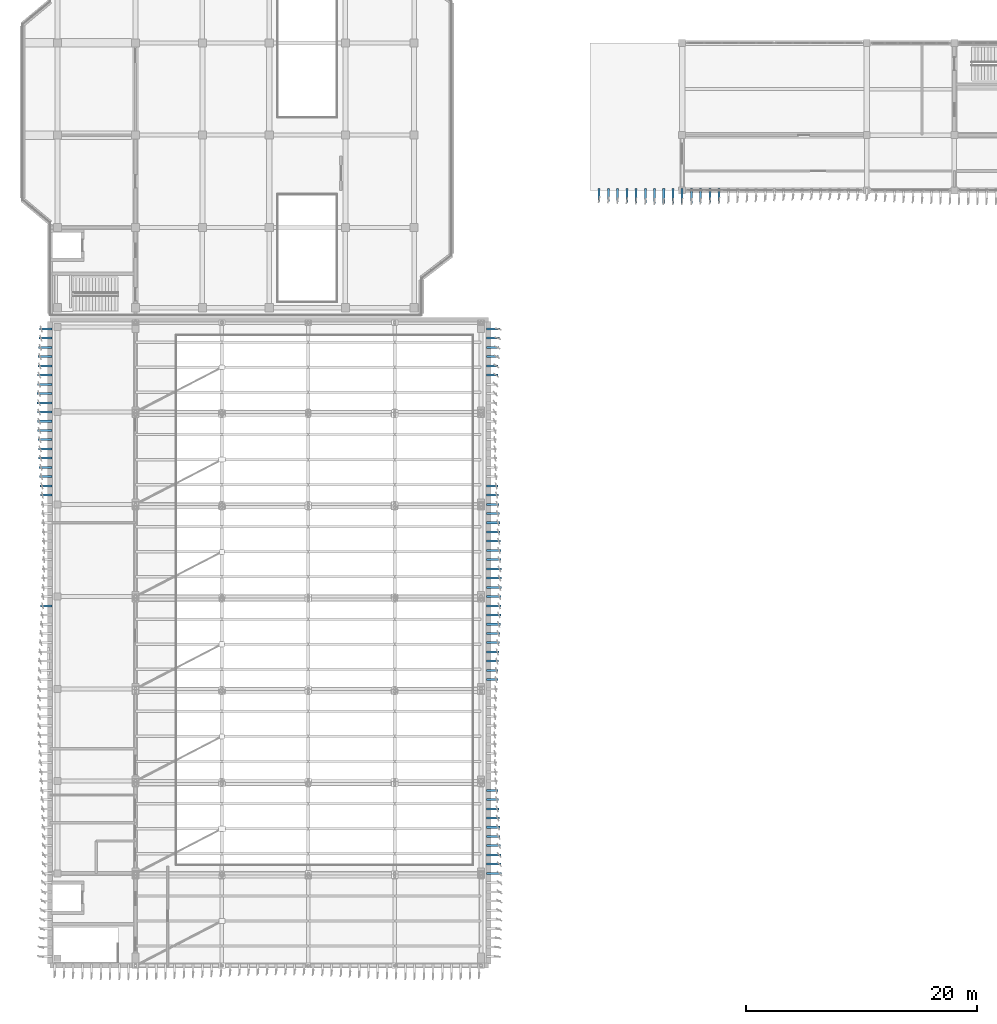
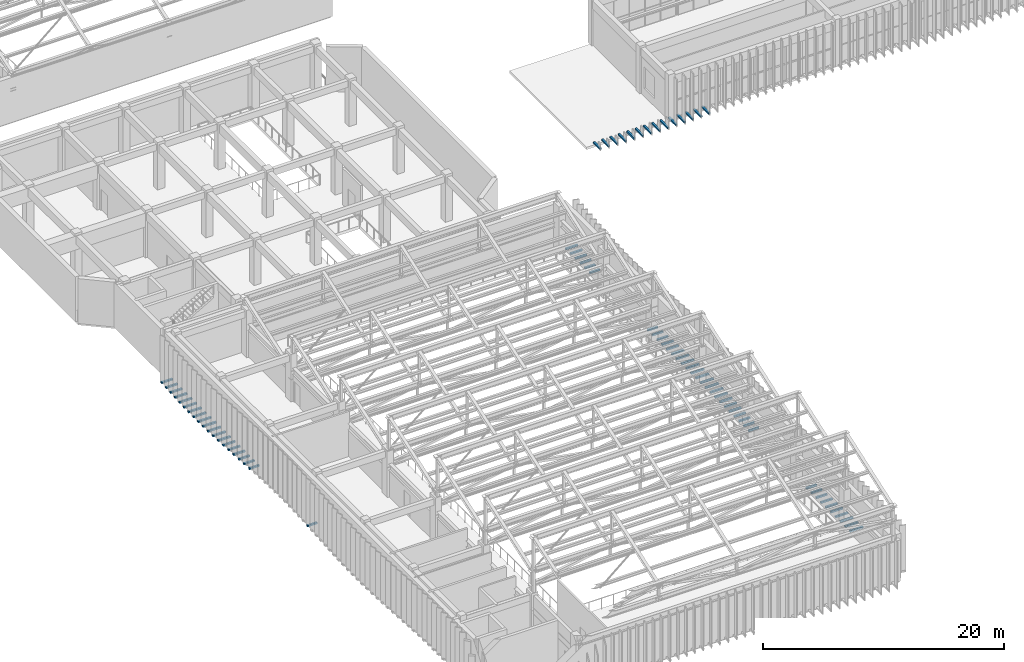
# One storey, part 61 of 76: 72 discrete accessories.
"""IFC4 building model written with IfcOpenShell, lengths in metres."""

from ifc_helpers import new_model, si_unit, direction, frame, origin, origin_2d, place, context, subcontext, project, spatial, rectangle, extrude, material, type_object, element, save


model = new_model("IFC4")

# Units and contexts
model_context = context("Model", 3, precision=1e-05, world=origin(), true_north=direction((0.0, 1.0)))
body_context = subcontext(model_context, "Body", "Model", "MODEL_VIEW")
ifc_project = project(units=[si_unit("LENGTHUNIT", "METRE"), si_unit("AREAUNIT", "SQUARE_METRE"), si_unit("VOLUMEUNIT", "CUBIC_METRE"), si_unit("PLANEANGLEUNIT", "RADIAN"), si_unit("MASSUNIT", "GRAM", prefix="KILO")], contexts=[model_context])

# Site, building, storey
site_placement = place(None, origin())
site = spatial("IfcSite", under=ifc_project, at=site_placement, CompositionType="ELEMENT")
building_placement = place(site_placement, origin())
building = spatial("IfcBuilding", under=site, at=building_placement, Name="Cinchona Park Media Centre", CompositionType="ELEMENT")
storey_placement = place(building_placement, frame((0.0, 0.0, 15.60009765625)))
storey = spatial("IfcBuildingStorey", under=building, at=storey_placement, Name="L03", CompositionType="ELEMENT", Elevation=15.60009765625)

# Discrete accessories
ifc_material = material(Name="Steel S355", Category="steel")
discrete_accessory_type = type_object("IfcDiscreteAccessoryType", Name="BRACKET-BRK01", PredefinedType="BRACKET", material=ifc_material)
discrete_accessory_1_placement = place(storey_placement, frame((7.614990234375, 62.800048828125, 0.0400390625), z_axis=(0.0, 0.0, 1.0), x_axis=(0.0, -1.0, 0.0)))
element("IfcDiscreteAccessory", 1, at=discrete_accessory_1_placement, inside=storey, type_object=discrete_accessory_type, Name="Facade Fin Outrigger Bracket L03", PredefinedType="BRACKET", context=body_context, shape_type="SweptSolid", body=[
    extrude(rectangle(XDim=0.179931640625, YDim=1.090087890625, at=origin_2d()), origin(), (0.0, 0.0, 1.0), 0.159912109375),
])
discrete_accessory_2_placement = place(storey_placement, frame((7.594970703125, 62.0, 0.0400390625), z_axis=(0.0, 0.0, 1.0), x_axis=(0.0, -1.0, 0.0)))
element("IfcDiscreteAccessory", 2, at=discrete_accessory_2_placement, inside=storey, type_object=discrete_accessory_type, Name="Facade Fin Outrigger Bracket L03", PredefinedType="BRACKET", context=body_context, shape_type="SweptSolid", body=[
    extrude(rectangle(XDim=0.179931640625, YDim=1.12890625, at=origin_2d()), origin(), (0.0, 0.0, 1.0), 0.159912109375),
])
discrete_accessory_3_placement = place(storey_placement, frame((7.576904296875, 61.199951171875, 0.0400390625), z_axis=(0.0, 0.0, 1.0), x_axis=(0.0, -1.0, 0.0)))
element("IfcDiscreteAccessory", 3, at=discrete_accessory_3_placement, inside=storey, type_object=discrete_accessory_type, Name="Facade Fin Outrigger Bracket L03", PredefinedType="BRACKET", context=body_context, shape_type="SweptSolid", body=[
    extrude(rectangle(XDim=0.179931640625, YDim=1.166015625, at=origin_2d()), origin(), (0.0, 0.0, 1.0), 0.159912109375),
])
discrete_accessory_4_placement = place(storey_placement, frame((7.56005859375, 60.39990234375, 0.0400390625), z_axis=(0.0, 0.0, 1.0), x_axis=(0.0, -1.0, 0.0)))
element("IfcDiscreteAccessory", 4, at=discrete_accessory_4_placement, inside=storey, type_object=discrete_accessory_type, Name="Facade Fin Outrigger Bracket L03", PredefinedType="BRACKET", context=body_context, shape_type="SweptSolid", body=[
    extrude(rectangle(XDim=0.179931640625, YDim=1.199951171875, at=origin_2d()), origin(), (0.0, 0.0, 1.0), 0.159912109375),
])
discrete_accessory_5_placement = place(storey_placement, frame((7.5458984375, 59.60009765625, 0.0400390625), z_axis=(0.0, 0.0, 1.0), x_axis=(0.0, -1.0, 0.0)))
element("IfcDiscreteAccessory", 5, at=discrete_accessory_5_placement, inside=storey, type_object=discrete_accessory_type, Name="Facade Fin Outrigger Bracket L03", PredefinedType="BRACKET", context=body_context, shape_type="SweptSolid", body=[
    extrude(rectangle(XDim=0.179931640625, YDim=1.22900390625, at=origin_2d()), origin(), (0.0, 0.0, 1.0), 0.159912109375),
])
discrete_accessory_6_placement = place(storey_placement, frame((7.533935546875, 58.800048828125, 0.0400390625), z_axis=(0.0, 0.0, 1.0), x_axis=(0.0, -1.0, 0.0)))
element("IfcDiscreteAccessory", 6, at=discrete_accessory_6_placement, inside=storey, type_object=discrete_accessory_type, Name="Facade Fin Outrigger Bracket L03", PredefinedType="BRACKET", context=body_context, shape_type="SweptSolid", body=[
    extrude(rectangle(XDim=0.179931640625, YDim=1.251953125, at=origin_2d()), origin(), (0.0, 0.0, 1.0), 0.159912109375),
])
discrete_accessory_7_placement = place(storey_placement, frame((7.52587890625, 58.0, 0.0400390625), z_axis=(0.0, 0.0, 1.0), x_axis=(0.0, -1.0, 0.0)))
element("IfcDiscreteAccessory", 7, at=discrete_accessory_7_placement, inside=storey, type_object=discrete_accessory_type, Name="Facade Fin Outrigger Bracket L03", PredefinedType="BRACKET", context=body_context, shape_type="SweptSolid", body=[
    extrude(rectangle(XDim=0.179931640625, YDim=1.26806640625, at=origin_2d()), origin(), (0.0, 0.0, 1.0), 0.159912109375),
])
discrete_accessory_8_placement = place(storey_placement, frame((7.52099609375, 57.199951171875, 0.0400390625), z_axis=(0.0, 0.0, 1.0), x_axis=(0.0, -1.0, 0.0)))
element("IfcDiscreteAccessory", 8, at=discrete_accessory_8_placement, inside=storey, type_object=discrete_accessory_type, Name="Facade Fin Outrigger Bracket L03", PredefinedType="BRACKET", context=body_context, shape_type="SweptSolid", body=[
    extrude(rectangle(XDim=0.179931640625, YDim=1.278076171875, at=origin_2d()), origin(), (0.0, 0.0, 1.0), 0.159912109375),
])
discrete_accessory_9_placement = place(storey_placement, frame((7.52001953125, 56.39990234375, 0.0400390625), z_axis=(0.0, 0.0, 1.0), x_axis=(0.0, -1.0, 0.0)))
element("IfcDiscreteAccessory", 9, at=discrete_accessory_9_placement, inside=storey, type_object=discrete_accessory_type, Name="Facade Fin Outrigger Bracket L03", PredefinedType="BRACKET", context=body_context, shape_type="SweptSolid", body=[
    extrude(rectangle(XDim=0.179931640625, YDim=1.280029296875, at=origin_2d()), origin(), (0.0, 0.0, 1.0), 0.159912109375),
])
discrete_accessory_10_placement = place(storey_placement, frame((7.52294921875, 55.60009765625, 0.0400390625), z_axis=(0.0, 0.0, 1.0), x_axis=(0.0, -1.0, 0.0)))
element("IfcDiscreteAccessory", 10, at=discrete_accessory_10_placement, inside=storey, type_object=discrete_accessory_type, Name="Facade Fin Outrigger Bracket L03", PredefinedType="BRACKET", context=body_context, shape_type="SweptSolid", body=[
    extrude(rectangle(XDim=0.179931640625, YDim=1.27392578125, at=origin_2d()), origin(), (0.0, 0.0, 1.0), 0.159912109375),
])
discrete_accessory_11_placement = place(storey_placement, frame((7.529052734375, 54.800048828125, 0.0400390625), z_axis=(0.0, 0.0, 1.0), x_axis=(0.0, -1.0, 0.0)))
element("IfcDiscreteAccessory", 11, at=discrete_accessory_11_placement, inside=storey, type_object=discrete_accessory_type, Name="Facade Fin Outrigger Bracket L03", PredefinedType="BRACKET", context=body_context, shape_type="SweptSolid", body=[
    extrude(rectangle(XDim=0.179931640625, YDim=1.260986328125, at=origin_2d()), origin(), (0.0, 0.0, 1.0), 0.159912109375),
])
discrete_accessory_12_placement = place(storey_placement, frame((7.5390625, 54.0, 0.0400390625), z_axis=(0.0, 0.0, 1.0), x_axis=(0.0, -1.0, 0.0)))
element("IfcDiscreteAccessory", 12, at=discrete_accessory_12_placement, inside=storey, type_object=discrete_accessory_type, Name="Facade Fin Outrigger Bracket L03", PredefinedType="BRACKET", context=body_context, shape_type="SweptSolid", body=[
    extrude(rectangle(XDim=0.179931640625, YDim=1.240966796875, at=origin_2d()), origin(), (0.0, 0.0, 1.0), 0.159912109375),
])
discrete_accessory_13_placement = place(storey_placement, frame((7.552978515625, 53.199951171875, 0.0400390625), z_axis=(0.0, 0.0, 1.0), x_axis=(0.0, -1.0, 0.0)))
element("IfcDiscreteAccessory", 13, at=discrete_accessory_13_placement, inside=storey, type_object=discrete_accessory_type, Name="Facade Fin Outrigger Bracket L03", PredefinedType="BRACKET", context=body_context, shape_type="SweptSolid", body=[
    extrude(rectangle(XDim=0.179931640625, YDim=1.215087890625, at=origin_2d()), origin(), (0.0, 0.0, 1.0), 0.159912109375),
])
discrete_accessory_14_placement = place(storey_placement, frame((7.568115234375, 52.39990234375, 0.0400390625), z_axis=(0.0, 0.0, 1.0), x_axis=(0.0, -1.0, 0.0)))
element("IfcDiscreteAccessory", 14, at=discrete_accessory_14_placement, inside=storey, type_object=discrete_accessory_type, Name="Facade Fin Outrigger Bracket L03", PredefinedType="BRACKET", context=body_context, shape_type="SweptSolid", body=[
    extrude(rectangle(XDim=0.179931640625, YDim=1.18408203125, at=origin_2d()), origin(), (0.0, 0.0, 1.0), 0.159912109375),
])
discrete_accessory_15_placement = place(storey_placement, frame((7.5859375, 51.60009765625, 0.0400390625), z_axis=(0.0, 0.0, 1.0), x_axis=(0.0, -1.0, 0.0)))
element("IfcDiscreteAccessory", 15, at=discrete_accessory_15_placement, inside=storey, type_object=discrete_accessory_type, Name="Facade Fin Outrigger Bracket L03", PredefinedType="BRACKET", context=body_context, shape_type="SweptSolid", body=[
    extrude(rectangle(XDim=0.179931640625, YDim=1.14794921875, at=origin_2d()), origin(), (0.0, 0.0, 1.0), 0.159912109375),
])
discrete_accessory_16_placement = place(storey_placement, frame((7.60498046875, 50.800048828125, 0.0400390625), z_axis=(0.0, 0.0, 1.0), x_axis=(0.0, -1.0, 0.0)))
element("IfcDiscreteAccessory", 16, at=discrete_accessory_16_placement, inside=storey, type_object=discrete_accessory_type, Name="Facade Fin Outrigger Bracket L03", PredefinedType="BRACKET", context=body_context, shape_type="SweptSolid", body=[
    extrude(rectangle(XDim=0.179931640625, YDim=1.110107421875, at=origin_2d()), origin(), (0.0, 0.0, 1.0), 0.159912109375),
])
discrete_accessory_17_placement = place(storey_placement, frame((7.625, 50.0, 0.0400390625), z_axis=(0.0, 0.0, 1.0), x_axis=(0.0, -1.0, 0.0)))
element("IfcDiscreteAccessory", 17, at=discrete_accessory_17_placement, inside=storey, type_object=discrete_accessory_type, Name="Facade Fin Outrigger Bracket L03", PredefinedType="BRACKET", context=body_context, shape_type="SweptSolid", body=[
    extrude(rectangle(XDim=0.179931640625, YDim=1.070068359375, at=origin_2d()), origin(), (0.0, 0.0, 1.0), 0.159912109375),
])
discrete_accessory_18_placement = place(storey_placement, frame((7.64501953125, 49.199951171875, 0.0400390625), z_axis=(0.0, 0.0, 1.0), x_axis=(0.0, -1.0, 0.0)))
element("IfcDiscreteAccessory", 18, at=discrete_accessory_18_placement, inside=storey, type_object=discrete_accessory_type, Name="Facade Fin Outrigger Bracket L03", PredefinedType="BRACKET", context=body_context, shape_type="SweptSolid", body=[
    extrude(rectangle(XDim=0.179931640625, YDim=1.030029296875, at=origin_2d()), origin(), (0.0, 0.0, 1.0), 0.159912109375),
])
discrete_accessory_19_placement = place(storey_placement, frame((7.6640625, 48.39990234375, 0.0400390625), z_axis=(0.0, 0.0, 1.0), x_axis=(0.0, -1.0, 0.0)))
element("IfcDiscreteAccessory", 19, at=discrete_accessory_19_placement, inside=storey, type_object=discrete_accessory_type, Name="Facade Fin Outrigger Bracket L03", PredefinedType="BRACKET", context=body_context, shape_type="SweptSolid", body=[
    extrude(rectangle(XDim=0.179931640625, YDim=0.991943359375, at=origin_2d()), origin(), (0.0, 0.0, 1.0), 0.159912109375),
])
discrete_accessory_20_placement = place(storey_placement, frame((7.673095703125, 38.800048828125, 0.0400390625), z_axis=(0.0, 0.0, 1.0), x_axis=(0.0, -1.0, 0.0)))
element("IfcDiscreteAccessory", 20, at=discrete_accessory_20_placement, inside=storey, type_object=discrete_accessory_type, Name="Facade Fin Outrigger Bracket L03", PredefinedType="BRACKET", context=body_context, shape_type="SweptSolid", body=[
    extrude(rectangle(XDim=0.179931640625, YDim=0.97412109375, at=origin_2d()), origin(), (0.0, 0.0, 1.0), 0.159912109375),
])
discrete_accessory_21_placement = place(storey_placement, frame((46.47705078125, 15.60009765625, 0.0400390625), z_axis=(0.0, 0.0, 1.0), x_axis=(0.0, 1.0, 0.0)))
element("IfcDiscreteAccessory", 21, at=discrete_accessory_21_placement, inside=storey, type_object=discrete_accessory_type, Name="Facade Fin Outrigger Bracket L03", PredefinedType="BRACKET", context=body_context, shape_type="SweptSolid", body=[
    extrude(rectangle(XDim=0.179931640625, YDim=1.27392578125, at=origin_2d()), origin(), (0.0, 0.0, 1.0), 0.159912109375),
])
discrete_accessory_22_placement = place(storey_placement, frame((46.470947265625, 16.39990234375, 0.0400390625), z_axis=(0.0, 0.0, 1.0), x_axis=(0.0, 1.0, 0.0)))
element("IfcDiscreteAccessory", 22, at=discrete_accessory_22_placement, inside=storey, type_object=discrete_accessory_type, Name="Facade Fin Outrigger Bracket L03", PredefinedType="BRACKET", context=body_context, shape_type="SweptSolid", body=[
    extrude(rectangle(XDim=0.179931640625, YDim=1.260986328125, at=origin_2d()), origin(), (0.0, 0.0, 1.0), 0.159912109375),
])
discrete_accessory_23_placement = place(storey_placement, frame((46.4609375, 17.199951171875, 0.0400390625), z_axis=(0.0, 0.0, 1.0), x_axis=(0.0, 1.0, 0.0)))
element("IfcDiscreteAccessory", 23, at=discrete_accessory_23_placement, inside=storey, type_object=discrete_accessory_type, Name="Facade Fin Outrigger Bracket L03", PredefinedType="BRACKET", context=body_context, shape_type="SweptSolid", body=[
    extrude(rectangle(XDim=0.179931640625, YDim=1.240966796875, at=origin_2d()), origin(), (0.0, 0.0, 1.0), 0.159912109375),
])
discrete_accessory_24_placement = place(storey_placement, frame((46.447021484375, 18.0, 0.0400390625), z_axis=(0.0, 0.0, 1.0), x_axis=(0.0, 1.0, 0.0)))
element("IfcDiscreteAccessory", 24, at=discrete_accessory_24_placement, inside=storey, type_object=discrete_accessory_type, Name="Facade Fin Outrigger Bracket L03", PredefinedType="BRACKET", context=body_context, shape_type="SweptSolid", body=[
    extrude(rectangle(XDim=0.179931640625, YDim=1.215087890625, at=origin_2d()), origin(), (0.0, 0.0, 1.0), 0.159912109375),
])
discrete_accessory_25_placement = place(storey_placement, frame((46.431884765625, 18.800048828125, 0.0400390625), z_axis=(0.0, 0.0, 1.0), x_axis=(0.0, 1.0, 0.0)))
element("IfcDiscreteAccessory", 25, at=discrete_accessory_25_placement, inside=storey, type_object=discrete_accessory_type, Name="Facade Fin Outrigger Bracket L03", PredefinedType="BRACKET", context=body_context, shape_type="SweptSolid", body=[
    extrude(rectangle(XDim=0.179931640625, YDim=1.18408203125, at=origin_2d()), origin(), (0.0, 0.0, 1.0), 0.159912109375),
])
discrete_accessory_26_placement = place(storey_placement, frame((46.4140625, 19.60009765625, 0.0400390625), z_axis=(0.0, 0.0, 1.0), x_axis=(0.0, 1.0, 0.0)))
element("IfcDiscreteAccessory", 26, at=discrete_accessory_26_placement, inside=storey, type_object=discrete_accessory_type, Name="Facade Fin Outrigger Bracket L03", PredefinedType="BRACKET", context=body_context, shape_type="SweptSolid", body=[
    extrude(rectangle(XDim=0.179931640625, YDim=1.14794921875, at=origin_2d()), origin(), (0.0, 0.0, 1.0), 0.159912109375),
])
discrete_accessory_27_placement = place(storey_placement, frame((46.39501953125, 20.39990234375, 0.0400390625), z_axis=(0.0, 0.0, 1.0), x_axis=(0.0, 1.0, 0.0)))
element("IfcDiscreteAccessory", 27, at=discrete_accessory_27_placement, inside=storey, type_object=discrete_accessory_type, Name="Facade Fin Outrigger Bracket L03", PredefinedType="BRACKET", context=body_context, shape_type="SweptSolid", body=[
    extrude(rectangle(XDim=0.179931640625, YDim=1.110107421875, at=origin_2d()), origin(), (0.0, 0.0, 1.0), 0.159912109375),
])
discrete_accessory_28_placement = place(storey_placement, frame((46.375, 21.199951171875, 0.0400390625), z_axis=(0.0, 0.0, 1.0), x_axis=(0.0, 1.0, 0.0)))
element("IfcDiscreteAccessory", 28, at=discrete_accessory_28_placement, inside=storey, type_object=discrete_accessory_type, Name="Facade Fin Outrigger Bracket L03", PredefinedType="BRACKET", context=body_context, shape_type="SweptSolid", body=[
    extrude(rectangle(XDim=0.179931640625, YDim=1.070068359375, at=origin_2d()), origin(), (0.0, 0.0, 1.0), 0.159912109375),
])
discrete_accessory_29_placement = place(storey_placement, frame((46.35498046875, 22.0, 0.0400390625), z_axis=(0.0, 0.0, 1.0), x_axis=(0.0, 1.0, 0.0)))
element("IfcDiscreteAccessory", 29, at=discrete_accessory_29_placement, inside=storey, type_object=discrete_accessory_type, Name="Facade Fin Outrigger Bracket L03", PredefinedType="BRACKET", context=body_context, shape_type="SweptSolid", body=[
    extrude(rectangle(XDim=0.179931640625, YDim=1.030029296875, at=origin_2d()), origin(), (0.0, 0.0, 1.0), 0.159912109375),
])
discrete_accessory_30_placement = place(storey_placement, frame((46.3359375, 22.800048828125, 0.0400390625), z_axis=(0.0, 0.0, 1.0), x_axis=(0.0, 1.0, 0.0)))
element("IfcDiscreteAccessory", 30, at=discrete_accessory_30_placement, inside=storey, type_object=discrete_accessory_type, Name="Facade Fin Outrigger Bracket L03", PredefinedType="BRACKET", context=body_context, shape_type="SweptSolid", body=[
    extrude(rectangle(XDim=0.179931640625, YDim=0.991943359375, at=origin_2d()), origin(), (0.0, 0.0, 1.0), 0.159912109375),
])
discrete_accessory_31_placement = place(storey_placement, frame((46.326904296875, 32.39990234375, 0.0400390625), z_axis=(0.0, 0.0, 1.0), x_axis=(0.0, 1.0, 0.0)))
element("IfcDiscreteAccessory", 31, at=discrete_accessory_31_placement, inside=storey, type_object=discrete_accessory_type, Name="Facade Fin Outrigger Bracket L03", PredefinedType="BRACKET", context=body_context, shape_type="SweptSolid", body=[
    extrude(rectangle(XDim=0.179931640625, YDim=0.97412109375, at=origin_2d()), origin(), (0.0, 0.0, 1.0), 0.159912109375),
])
discrete_accessory_32_placement = place(storey_placement, frame((46.344970703125, 33.199951171875, 0.0400390625), z_axis=(0.0, 0.0, 1.0), x_axis=(0.0, 1.0, 0.0)))
element("IfcDiscreteAccessory", 32, at=discrete_accessory_32_placement, inside=storey, type_object=discrete_accessory_type, Name="Facade Fin Outrigger Bracket L03", PredefinedType="BRACKET", context=body_context, shape_type="SweptSolid", body=[
    extrude(rectangle(XDim=0.179931640625, YDim=1.010986328125, at=origin_2d()), origin(), (0.0, 0.0, 1.0), 0.159912109375),
])
discrete_accessory_33_placement = place(storey_placement, frame((46.364990234375, 34.0, 0.0400390625), z_axis=(0.0, 0.0, 1.0), x_axis=(0.0, 1.0, 0.0)))
element("IfcDiscreteAccessory", 33, at=discrete_accessory_33_placement, inside=storey, type_object=discrete_accessory_type, Name="Facade Fin Outrigger Bracket L03", PredefinedType="BRACKET", context=body_context, shape_type="SweptSolid", body=[
    extrude(rectangle(XDim=0.179931640625, YDim=1.050048828125, at=origin_2d()), origin(), (0.0, 0.0, 1.0), 0.159912109375),
])
discrete_accessory_34_placement = place(storey_placement, frame((46.385009765625, 34.800048828125, 0.0400390625), z_axis=(0.0, 0.0, 1.0), x_axis=(0.0, 1.0, 0.0)))
element("IfcDiscreteAccessory", 34, at=discrete_accessory_34_placement, inside=storey, type_object=discrete_accessory_type, Name="Facade Fin Outrigger Bracket L03", PredefinedType="BRACKET", context=body_context, shape_type="SweptSolid", body=[
    extrude(rectangle(XDim=0.179931640625, YDim=1.090087890625, at=origin_2d()), origin(), (0.0, 0.0, 1.0), 0.159912109375),
])
discrete_accessory_35_placement = place(storey_placement, frame((46.405029296875, 35.60009765625, 0.0400390625), z_axis=(0.0, 0.0, 1.0), x_axis=(0.0, 1.0, 0.0)))
element("IfcDiscreteAccessory", 35, at=discrete_accessory_35_placement, inside=storey, type_object=discrete_accessory_type, Name="Facade Fin Outrigger Bracket L03", PredefinedType="BRACKET", context=body_context, shape_type="SweptSolid", body=[
    extrude(rectangle(XDim=0.179931640625, YDim=1.12890625, at=origin_2d()), origin(), (0.0, 0.0, 1.0), 0.159912109375),
])
discrete_accessory_36_placement = place(storey_placement, frame((46.423095703125, 36.39990234375, 0.0400390625), z_axis=(0.0, 0.0, 1.0), x_axis=(0.0, 1.0, 0.0)))
element("IfcDiscreteAccessory", 36, at=discrete_accessory_36_placement, inside=storey, type_object=discrete_accessory_type, Name="Facade Fin Outrigger Bracket L03", PredefinedType="BRACKET", context=body_context, shape_type="SweptSolid", body=[
    extrude(rectangle(XDim=0.179931640625, YDim=1.166015625, at=origin_2d()), origin(), (0.0, 0.0, 1.0), 0.159912109375),
])
discrete_accessory_37_placement = place(storey_placement, frame((46.43994140625, 37.199951171875, 0.0400390625), z_axis=(0.0, 0.0, 1.0), x_axis=(0.0, 1.0, 0.0)))
element("IfcDiscreteAccessory", 37, at=discrete_accessory_37_placement, inside=storey, type_object=discrete_accessory_type, Name="Facade Fin Outrigger Bracket L03", PredefinedType="BRACKET", context=body_context, shape_type="SweptSolid", body=[
    extrude(rectangle(XDim=0.179931640625, YDim=1.199951171875, at=origin_2d()), origin(), (0.0, 0.0, 1.0), 0.159912109375),
])
discrete_accessory_38_placement = place(storey_placement, frame((46.4541015625, 38.0, 0.0400390625), z_axis=(0.0, 0.0, 1.0), x_axis=(0.0, 1.0, 0.0)))
element("IfcDiscreteAccessory", 38, at=discrete_accessory_38_placement, inside=storey, type_object=discrete_accessory_type, Name="Facade Fin Outrigger Bracket L03", PredefinedType="BRACKET", context=body_context, shape_type="SweptSolid", body=[
    extrude(rectangle(XDim=0.179931640625, YDim=1.22900390625, at=origin_2d()), origin(), (0.0, 0.0, 1.0), 0.159912109375),
])
discrete_accessory_39_placement = place(storey_placement, frame((46.466064453125, 38.800048828125, 0.0400390625), z_axis=(0.0, 0.0, 1.0), x_axis=(0.0, 1.0, 0.0)))
element("IfcDiscreteAccessory", 39, at=discrete_accessory_39_placement, inside=storey, type_object=discrete_accessory_type, Name="Facade Fin Outrigger Bracket L03", PredefinedType="BRACKET", context=body_context, shape_type="SweptSolid", body=[
    extrude(rectangle(XDim=0.179931640625, YDim=1.251953125, at=origin_2d()), origin(), (0.0, 0.0, 1.0), 0.159912109375),
])
discrete_accessory_40_placement = place(storey_placement, frame((46.47412109375, 39.60009765625, 0.0400390625), z_axis=(0.0, 0.0, 1.0), x_axis=(0.0, 1.0, 0.0)))
element("IfcDiscreteAccessory", 40, at=discrete_accessory_40_placement, inside=storey, type_object=discrete_accessory_type, Name="Facade Fin Outrigger Bracket L03", PredefinedType="BRACKET", context=body_context, shape_type="SweptSolid", body=[
    extrude(rectangle(XDim=0.179931640625, YDim=1.26806640625, at=origin_2d()), origin(), (0.0, 0.0, 1.0), 0.159912109375),
])
discrete_accessory_41_placement = place(storey_placement, frame((46.47900390625, 40.39990234375, 0.0400390625), z_axis=(0.0, 0.0, 1.0), x_axis=(0.0, 1.0, 0.0)))
element("IfcDiscreteAccessory", 41, at=discrete_accessory_41_placement, inside=storey, type_object=discrete_accessory_type, Name="Facade Fin Outrigger Bracket L03", PredefinedType="BRACKET", context=body_context, shape_type="SweptSolid", body=[
    extrude(rectangle(XDim=0.179931640625, YDim=1.278076171875, at=origin_2d()), origin(), (0.0, 0.0, 1.0), 0.159912109375),
])
discrete_accessory_42_placement = place(storey_placement, frame((46.47998046875, 41.199951171875, 0.0400390625), z_axis=(0.0, 0.0, 1.0), x_axis=(0.0, 1.0, 0.0)))
element("IfcDiscreteAccessory", 42, at=discrete_accessory_42_placement, inside=storey, type_object=discrete_accessory_type, Name="Facade Fin Outrigger Bracket L03", PredefinedType="BRACKET", context=body_context, shape_type="SweptSolid", body=[
    extrude(rectangle(XDim=0.179931640625, YDim=1.280029296875, at=origin_2d()), origin(), (0.0, 0.0, 1.0), 0.159912109375),
])
discrete_accessory_43_placement = place(storey_placement, frame((46.47705078125, 42.0, 0.0400390625), z_axis=(0.0, 0.0, 1.0), x_axis=(0.0, 1.0, 0.0)))
element("IfcDiscreteAccessory", 43, at=discrete_accessory_43_placement, inside=storey, type_object=discrete_accessory_type, Name="Facade Fin Outrigger Bracket L03", PredefinedType="BRACKET", context=body_context, shape_type="SweptSolid", body=[
    extrude(rectangle(XDim=0.179931640625, YDim=1.27392578125, at=origin_2d()), origin(), (0.0, 0.0, 1.0), 0.159912109375),
])
discrete_accessory_44_placement = place(storey_placement, frame((46.470947265625, 42.800048828125, 0.0400390625), z_axis=(0.0, 0.0, 1.0), x_axis=(0.0, 1.0, 0.0)))
element("IfcDiscreteAccessory", 44, at=discrete_accessory_44_placement, inside=storey, type_object=discrete_accessory_type, Name="Facade Fin Outrigger Bracket L03", PredefinedType="BRACKET", context=body_context, shape_type="SweptSolid", body=[
    extrude(rectangle(XDim=0.179931640625, YDim=1.260986328125, at=origin_2d()), origin(), (0.0, 0.0, 1.0), 0.159912109375),
])
discrete_accessory_45_placement = place(storey_placement, frame((46.4609375, 43.60009765625, 0.0400390625), z_axis=(0.0, 0.0, 1.0), x_axis=(0.0, 1.0, 0.0)))
element("IfcDiscreteAccessory", 45, at=discrete_accessory_45_placement, inside=storey, type_object=discrete_accessory_type, Name="Facade Fin Outrigger Bracket L03", PredefinedType="BRACKET", context=body_context, shape_type="SweptSolid", body=[
    extrude(rectangle(XDim=0.179931640625, YDim=1.240966796875, at=origin_2d()), origin(), (0.0, 0.0, 1.0), 0.159912109375),
])
discrete_accessory_46_placement = place(storey_placement, frame((46.447021484375, 44.39990234375, 0.0400390625), z_axis=(0.0, 0.0, 1.0), x_axis=(0.0, 1.0, 0.0)))
element("IfcDiscreteAccessory", 46, at=discrete_accessory_46_placement, inside=storey, type_object=discrete_accessory_type, Name="Facade Fin Outrigger Bracket L03", PredefinedType="BRACKET", context=body_context, shape_type="SweptSolid", body=[
    extrude(rectangle(XDim=0.179931640625, YDim=1.215087890625, at=origin_2d()), origin(), (0.0, 0.0, 1.0), 0.159912109375),
])
discrete_accessory_47_placement = place(storey_placement, frame((46.431884765625, 45.199951171875, 0.0400390625), z_axis=(0.0, 0.0, 1.0), x_axis=(0.0, 1.0, 0.0)))
element("IfcDiscreteAccessory", 47, at=discrete_accessory_47_placement, inside=storey, type_object=discrete_accessory_type, Name="Facade Fin Outrigger Bracket L03", PredefinedType="BRACKET", context=body_context, shape_type="SweptSolid", body=[
    extrude(rectangle(XDim=0.179931640625, YDim=1.18408203125, at=origin_2d()), origin(), (0.0, 0.0, 1.0), 0.159912109375),
])
discrete_accessory_48_placement = place(storey_placement, frame((46.4140625, 46.0, 0.0400390625), z_axis=(0.0, 0.0, 1.0), x_axis=(0.0, 1.0, 0.0)))
element("IfcDiscreteAccessory", 48, at=discrete_accessory_48_placement, inside=storey, type_object=discrete_accessory_type, Name="Facade Fin Outrigger Bracket L03", PredefinedType="BRACKET", context=body_context, shape_type="SweptSolid", body=[
    extrude(rectangle(XDim=0.179931640625, YDim=1.14794921875, at=origin_2d()), origin(), (0.0, 0.0, 1.0), 0.159912109375),
])
discrete_accessory_49_placement = place(storey_placement, frame((46.39501953125, 46.800048828125, 0.0400390625), z_axis=(0.0, 0.0, 1.0), x_axis=(0.0, 1.0, 0.0)))
element("IfcDiscreteAccessory", 49, at=discrete_accessory_49_placement, inside=storey, type_object=discrete_accessory_type, Name="Facade Fin Outrigger Bracket L03", PredefinedType="BRACKET", context=body_context, shape_type="SweptSolid", body=[
    extrude(rectangle(XDim=0.179931640625, YDim=1.110107421875, at=origin_2d()), origin(), (0.0, 0.0, 1.0), 0.159912109375),
])
discrete_accessory_50_placement = place(storey_placement, frame((46.375, 47.60009765625, 0.0400390625), z_axis=(0.0, 0.0, 1.0), x_axis=(0.0, 1.0, 0.0)))
element("IfcDiscreteAccessory", 50, at=discrete_accessory_50_placement, inside=storey, type_object=discrete_accessory_type, Name="Facade Fin Outrigger Bracket L03", PredefinedType="BRACKET", context=body_context, shape_type="SweptSolid", body=[
    extrude(rectangle(XDim=0.179931640625, YDim=1.070068359375, at=origin_2d()), origin(), (0.0, 0.0, 1.0), 0.159912109375),
])
discrete_accessory_51_placement = place(storey_placement, frame((46.35498046875, 48.39990234375, 0.0400390625), z_axis=(0.0, 0.0, 1.0), x_axis=(0.0, 1.0, 0.0)))
element("IfcDiscreteAccessory", 51, at=discrete_accessory_51_placement, inside=storey, type_object=discrete_accessory_type, Name="Facade Fin Outrigger Bracket L03", PredefinedType="BRACKET", context=body_context, shape_type="SweptSolid", body=[
    extrude(rectangle(XDim=0.179931640625, YDim=1.030029296875, at=origin_2d()), origin(), (0.0, 0.0, 1.0), 0.159912109375),
])
discrete_accessory_52_placement = place(storey_placement, frame((46.3359375, 49.199951171875, 0.0400390625), z_axis=(0.0, 0.0, 1.0), x_axis=(0.0, 1.0, 0.0)))
element("IfcDiscreteAccessory", 52, at=discrete_accessory_52_placement, inside=storey, type_object=discrete_accessory_type, Name="Facade Fin Outrigger Bracket L03", PredefinedType="BRACKET", context=body_context, shape_type="SweptSolid", body=[
    extrude(rectangle(XDim=0.179931640625, YDim=0.991943359375, at=origin_2d()), origin(), (0.0, 0.0, 1.0), 0.159912109375),
])
discrete_accessory_53_placement = place(storey_placement, frame((46.326904296875, 58.800048828125, 0.0400390625), z_axis=(0.0, 0.0, 1.0), x_axis=(0.0, 1.0, 0.0)))
element("IfcDiscreteAccessory", 53, at=discrete_accessory_53_placement, inside=storey, type_object=discrete_accessory_type, Name="Facade Fin Outrigger Bracket L03", PredefinedType="BRACKET", context=body_context, shape_type="SweptSolid", body=[
    extrude(rectangle(XDim=0.179931640625, YDim=0.97412109375, at=origin_2d()), origin(), (0.0, 0.0, 1.0), 0.159912109375),
])
discrete_accessory_54_placement = place(storey_placement, frame((46.344970703125, 59.60009765625, 0.0400390625), z_axis=(0.0, 0.0, 1.0), x_axis=(0.0, 1.0, 0.0)))
element("IfcDiscreteAccessory", 54, at=discrete_accessory_54_placement, inside=storey, type_object=discrete_accessory_type, Name="Facade Fin Outrigger Bracket L03", PredefinedType="BRACKET", context=body_context, shape_type="SweptSolid", body=[
    extrude(rectangle(XDim=0.179931640625, YDim=1.010986328125, at=origin_2d()), origin(), (0.0, 0.0, 1.0), 0.159912109375),
])
discrete_accessory_55_placement = place(storey_placement, frame((46.364990234375, 60.39990234375, 0.0400390625), z_axis=(0.0, 0.0, 1.0), x_axis=(0.0, 1.0, 0.0)))
element("IfcDiscreteAccessory", 55, at=discrete_accessory_55_placement, inside=storey, type_object=discrete_accessory_type, Name="Facade Fin Outrigger Bracket L03", PredefinedType="BRACKET", context=body_context, shape_type="SweptSolid", body=[
    extrude(rectangle(XDim=0.179931640625, YDim=1.050048828125, at=origin_2d()), origin(), (0.0, 0.0, 1.0), 0.159912109375),
])
discrete_accessory_56_placement = place(storey_placement, frame((46.385009765625, 61.199951171875, 0.0400390625), z_axis=(0.0, 0.0, 1.0), x_axis=(0.0, 1.0, 0.0)))
element("IfcDiscreteAccessory", 56, at=discrete_accessory_56_placement, inside=storey, type_object=discrete_accessory_type, Name="Facade Fin Outrigger Bracket L03", PredefinedType="BRACKET", context=body_context, shape_type="SweptSolid", body=[
    extrude(rectangle(XDim=0.179931640625, YDim=1.090087890625, at=origin_2d()), origin(), (0.0, 0.0, 1.0), 0.159912109375),
])
discrete_accessory_57_placement = place(storey_placement, frame((46.405029296875, 62.0, 0.0400390625), z_axis=(0.0, 0.0, 1.0), x_axis=(0.0, 1.0, 0.0)))
element("IfcDiscreteAccessory", 57, at=discrete_accessory_57_placement, inside=storey, type_object=discrete_accessory_type, Name="Facade Fin Outrigger Bracket L03", PredefinedType="BRACKET", context=body_context, shape_type="SweptSolid", body=[
    extrude(rectangle(XDim=0.179931640625, YDim=1.12890625, at=origin_2d()), origin(), (0.0, 0.0, 1.0), 0.159912109375),
])
discrete_accessory_58_placement = place(storey_placement, frame((46.423095703125, 62.800048828125, 0.0400390625), z_axis=(0.0, 0.0, 1.0), x_axis=(0.0, 1.0, 0.0)))
element("IfcDiscreteAccessory", 58, at=discrete_accessory_58_placement, inside=storey, type_object=discrete_accessory_type, Name="Facade Fin Outrigger Bracket L03", PredefinedType="BRACKET", context=body_context, shape_type="SweptSolid", body=[
    extrude(rectangle(XDim=0.179931640625, YDim=1.166015625, at=origin_2d()), origin(), (0.0, 0.0, 1.0), 0.159912109375),
])
discrete_accessory_59_placement = place(storey_placement, frame((55.60009765625, 74.4150390625, 0.0400390625), z_axis=(0.0, 0.0, 1.0), x_axis=(1.0, 0.0, 0.0)))
element("IfcDiscreteAccessory", 59, at=discrete_accessory_59_placement, inside=storey, type_object=discrete_accessory_type, Name="Facade Fin Outrigger Bracket L03", PredefinedType="BRACKET", context=body_context, shape_type="SweptSolid", body=[
    extrude(rectangle(XDim=0.179931640625, YDim=1.090087890625, at=origin_2d()), origin(), (0.0, 0.0, 1.0), 0.159912109375),
])
discrete_accessory_60_placement = place(storey_placement, frame((56.39990234375, 74.39501953125, 0.0400390625), z_axis=(0.0, 0.0, 1.0), x_axis=(1.0, 0.0, 0.0)))
element("IfcDiscreteAccessory", 60, at=discrete_accessory_60_placement, inside=storey, type_object=discrete_accessory_type, Name="Facade Fin Outrigger Bracket L03", PredefinedType="BRACKET", context=body_context, shape_type="SweptSolid", body=[
    extrude(rectangle(XDim=0.179931640625, YDim=1.12890625, at=origin_2d()), origin(), (0.0, 0.0, 1.0), 0.159912109375),
])
discrete_accessory_61_placement = place(storey_placement, frame((57.199951171875, 74.376953125, 0.0400390625), z_axis=(0.0, 0.0, 1.0), x_axis=(1.0, 0.0, 0.0)))
element("IfcDiscreteAccessory", 61, at=discrete_accessory_61_placement, inside=storey, type_object=discrete_accessory_type, Name="Facade Fin Outrigger Bracket L03", PredefinedType="BRACKET", context=body_context, shape_type="SweptSolid", body=[
    extrude(rectangle(XDim=0.179931640625, YDim=1.166015625, at=origin_2d()), origin(), (0.0, 0.0, 1.0), 0.159912109375),
])
discrete_accessory_62_placement = place(storey_placement, frame((58.0, 74.360107421875, 0.0400390625), z_axis=(0.0, 0.0, 1.0), x_axis=(1.0, 0.0, 0.0)))
element("IfcDiscreteAccessory", 62, at=discrete_accessory_62_placement, inside=storey, type_object=discrete_accessory_type, Name="Facade Fin Outrigger Bracket L03", PredefinedType="BRACKET", context=body_context, shape_type="SweptSolid", body=[
    extrude(rectangle(XDim=0.179931640625, YDim=1.199951171875, at=origin_2d()), origin(), (0.0, 0.0, 1.0), 0.159912109375),
])
discrete_accessory_63_placement = place(storey_placement, frame((58.800048828125, 74.345947265625, 0.0400390625), z_axis=(0.0, 0.0, 1.0), x_axis=(1.0, 0.0, 0.0)))
element("IfcDiscreteAccessory", 63, at=discrete_accessory_63_placement, inside=storey, type_object=discrete_accessory_type, Name="Facade Fin Outrigger Bracket L03", PredefinedType="BRACKET", context=body_context, shape_type="SweptSolid", body=[
    extrude(rectangle(XDim=0.179931640625, YDim=1.22900390625, at=origin_2d()), origin(), (0.0, 0.0, 1.0), 0.159912109375),
])
discrete_accessory_64_placement = place(storey_placement, frame((59.60009765625, 74.333984375, 0.0400390625), z_axis=(0.0, 0.0, 1.0), x_axis=(1.0, 0.0, 0.0)))
element("IfcDiscreteAccessory", 64, at=discrete_accessory_64_placement, inside=storey, type_object=discrete_accessory_type, Name="Facade Fin Outrigger Bracket L03", PredefinedType="BRACKET", context=body_context, shape_type="SweptSolid", body=[
    extrude(rectangle(XDim=0.179931640625, YDim=1.251953125, at=origin_2d()), origin(), (0.0, 0.0, 1.0), 0.159912109375),
])
discrete_accessory_65_placement = place(storey_placement, frame((60.39990234375, 74.325927734375, 0.0400390625), z_axis=(0.0, 0.0, 1.0), x_axis=(1.0, 0.0, 0.0)))
element("IfcDiscreteAccessory", 65, at=discrete_accessory_65_placement, inside=storey, type_object=discrete_accessory_type, Name="Facade Fin Outrigger Bracket L03", PredefinedType="BRACKET", context=body_context, shape_type="SweptSolid", body=[
    extrude(rectangle(XDim=0.179931640625, YDim=1.26806640625, at=origin_2d()), origin(), (0.0, 0.0, 1.0), 0.159912109375),
])
discrete_accessory_66_placement = place(storey_placement, frame((61.199951171875, 74.321044921875, 0.0400390625), z_axis=(0.0, 0.0, 1.0), x_axis=(1.0, 0.0, 0.0)))
element("IfcDiscreteAccessory", 66, at=discrete_accessory_66_placement, inside=storey, type_object=discrete_accessory_type, Name="Facade Fin Outrigger Bracket L03", PredefinedType="BRACKET", context=body_context, shape_type="SweptSolid", body=[
    extrude(rectangle(XDim=0.179931640625, YDim=1.278076171875, at=origin_2d()), origin(), (0.0, 0.0, 1.0), 0.159912109375),
])
discrete_accessory_67_placement = place(storey_placement, frame((62.0, 74.320068359375, 0.0400390625), z_axis=(0.0, 0.0, 1.0), x_axis=(1.0, 0.0, 0.0)))
element("IfcDiscreteAccessory", 67, at=discrete_accessory_67_placement, inside=storey, type_object=discrete_accessory_type, Name="Facade Fin Outrigger Bracket L03", PredefinedType="BRACKET", context=body_context, shape_type="SweptSolid", body=[
    extrude(rectangle(XDim=0.179931640625, YDim=1.280029296875, at=origin_2d()), origin(), (0.0, 0.0, 1.0), 0.159912109375),
])
discrete_accessory_68_placement = place(storey_placement, frame((62.800048828125, 74.322998046875, 0.0400390625), z_axis=(0.0, 0.0, 1.0), x_axis=(1.0, 0.0, 0.0)))
element("IfcDiscreteAccessory", 68, at=discrete_accessory_68_placement, inside=storey, type_object=discrete_accessory_type, Name="Facade Fin Outrigger Bracket L03", PredefinedType="BRACKET", context=body_context, shape_type="SweptSolid", body=[
    extrude(rectangle(XDim=0.179931640625, YDim=1.27392578125, at=origin_2d()), origin(), (0.0, 0.0, 1.0), 0.159912109375),
])
discrete_accessory_69_placement = place(storey_placement, frame((63.60009765625, 74.3291015625, 0.0400390625), z_axis=(0.0, 0.0, 1.0), x_axis=(1.0, 0.0, 0.0)))
element("IfcDiscreteAccessory", 69, at=discrete_accessory_69_placement, inside=storey, type_object=discrete_accessory_type, Name="Facade Fin Outrigger Bracket L03", PredefinedType="BRACKET", context=body_context, shape_type="SweptSolid", body=[
    extrude(rectangle(XDim=0.179931640625, YDim=1.260986328125, at=origin_2d()), origin(), (0.0, 0.0, 1.0), 0.159912109375),
])
discrete_accessory_70_placement = place(storey_placement, frame((64.39990234375, 74.339111328125, 0.0400390625), z_axis=(0.0, 0.0, 1.0), x_axis=(1.0, 0.0, 0.0)))
element("IfcDiscreteAccessory", 70, at=discrete_accessory_70_placement, inside=storey, type_object=discrete_accessory_type, Name="Facade Fin Outrigger Bracket L03", PredefinedType="BRACKET", context=body_context, shape_type="SweptSolid", body=[
    extrude(rectangle(XDim=0.179931640625, YDim=1.240966796875, at=origin_2d()), origin(), (0.0, 0.0, 1.0), 0.159912109375),
])
discrete_accessory_71_placement = place(storey_placement, frame((65.199951171875, 74.35302734375, 0.0400390625), z_axis=(0.0, 0.0, 1.0), x_axis=(1.0, 0.0, 0.0)))
element("IfcDiscreteAccessory", 71, at=discrete_accessory_71_placement, inside=storey, type_object=discrete_accessory_type, Name="Facade Fin Outrigger Bracket L03", PredefinedType="BRACKET", context=body_context, shape_type="SweptSolid", body=[
    extrude(rectangle(XDim=0.179931640625, YDim=1.215087890625, at=origin_2d()), origin(), (0.0, 0.0, 1.0), 0.159912109375),
])
discrete_accessory_72_placement = place(storey_placement, frame((66.0, 74.367919921875, 0.0400390625), z_axis=(0.0, 0.0, 1.0), x_axis=(1.0, 0.0, 0.0)))
element("IfcDiscreteAccessory", 72, at=discrete_accessory_72_placement, inside=storey, type_object=discrete_accessory_type, Name="Facade Fin Outrigger Bracket L03", PredefinedType="BRACKET", context=body_context, shape_type="SweptSolid", body=[
    extrude(rectangle(XDim=0.179931640625, YDim=1.18408203125, at=origin_2d()), origin(), (0.0, 0.0, 1.0), 0.159912109375),
])

save(model, "model.ifc")
